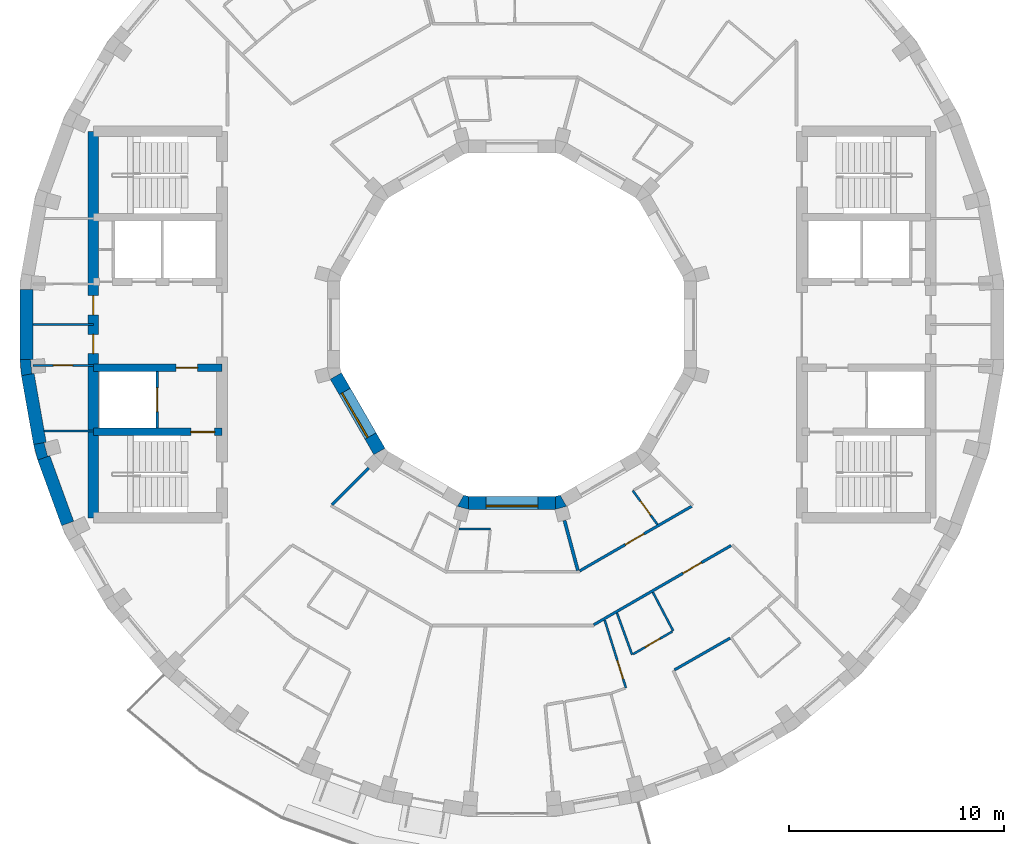
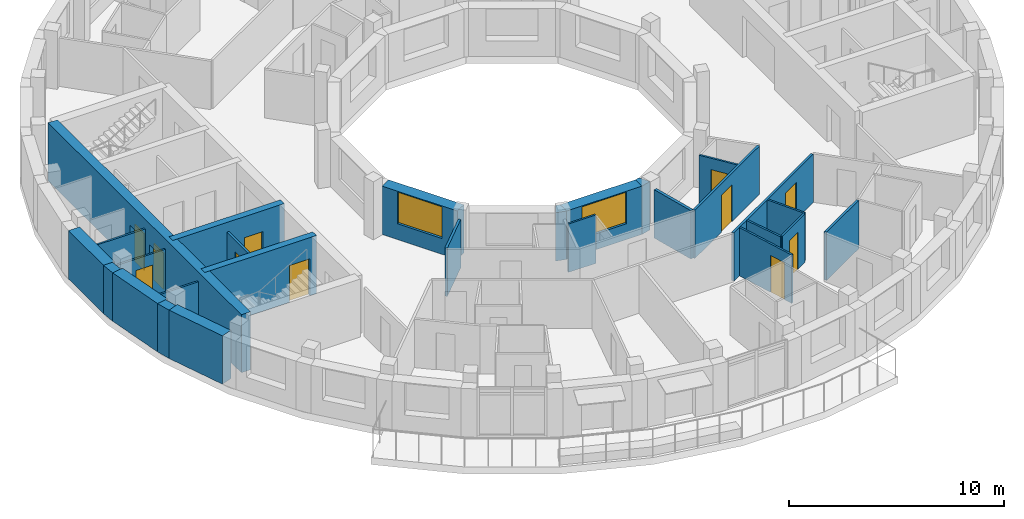
# One storey, part 5 of 12: 27 walls, 11 doors, 2 windows, 13 openings.
"""IFC4 building model written with IfcOpenShell, lengths in metres."""

import ifcopenshell
import ifcopenshell.guid

model = None  # the IFC model being written
_history = None  # IfcOwnerHistory: only IFC2X3 demands one
_inside = {}  # id of a spatial element -> (the spatial element, [elements in it])
_under = {}  # id of a project, library or spatial element -> (it, [spatial elements below it])
_declared = {}  # id of a project -> (the project, [libraries it declares])
_typed = {}  # id of a type object -> (the type object, [elements of that type])
_made_of = {}  # id of a material, layer set ... -> (it, [elements and type objects made of it])


def new_model(schema):
    """Start an empty IFC model of exactly this schema.

    Asked for "IFC4X3", IfcOpenShell would pick the latest addendum, in which some entities
    have other attributes; the version numbers below select the first issue.
    IFC2X3 requires an IfcOwnerHistory on every rooted entity: one is made here for all.
    """
    global model, _history
    if schema == "IFC4X3":
        model = ifcopenshell.file(schema_version=(4, 3, 0, 0))
    else:
        model = ifcopenshell.file(schema=schema)
    _inside.clear()
    _under.clear()
    _declared.clear()
    _typed.clear()
    _made_of.clear()
    _history = None
    if model.schema == "IFC2X3":
        org = make("IfcOrganization", Name="unknown")
        user = make(
            "IfcPersonAndOrganization",
            ThePerson=make("IfcPerson", FamilyName="unknown"),
            TheOrganization=org,
        )
        app = make(
            "IfcApplication",
            ApplicationDeveloper=org,
            Version="unknown",
            ApplicationFullName="unknown",
            ApplicationIdentifier="unknown",
        )
        _history = make(
            "IfcOwnerHistory",
            OwningUser=user,
            OwningApplication=app,
            ChangeAction="ADDED",
            CreationDate=0,
        )
    return model


def make(cls, **values):
    """One entity of the class cls with the attributes given. An attribute that is None is left unset."""
    return model.create_entity(
        cls, **{name: value for name, value in values.items() if value is not None}
    )


def rooted(cls, **values):
    """An entity with a GlobalId (a new one), such as an element, a storey or a relation."""
    return make(cls, GlobalId=ifcopenshell.guid.new(), OwnerHistory=_history, **values)


def si_unit(unit_type, name, prefix=None):
    """IfcSIUnit, for example si_unit("LENGTHUNIT", "METRE", prefix="MILLI")."""
    return make("IfcSIUnit", UnitType=unit_type, Prefix=prefix, Name=name)


def assignment(units):
    """IfcUnitAssignment: the units of a project."""
    return None if units is None else make("IfcUnitAssignment", Units=units)


def point(xyz):
    """IfcCartesianPoint."""
    return None if xyz is None else make("IfcCartesianPoint", Coordinates=xyz)


def direction(xyz):
    """IfcDirection."""
    return None if xyz is None else make("IfcDirection", DirectionRatios=xyz)


def frame(location, z_axis=None, x_axis=None):
    """IfcAxis2Placement3D, a coordinate frame: its origin and axes. An axis left out is left unset."""
    return make(
        "IfcAxis2Placement3D",
        Location=point(location),
        Axis=direction(z_axis),
        RefDirection=direction(x_axis),
    )


def frame_2d(location, x_axis=None):
    """IfcAxis2Placement2D, a coordinate frame in the plane: its origin and x axis."""
    return make(
        "IfcAxis2Placement2D", Location=point(location), RefDirection=direction(x_axis)
    )


def origin():
    """The frame at (0, 0, 0) with its axes left unset."""
    return frame((0.0, 0.0, 0.0))


def place(relative_to, where):
    """IfcLocalPlacement: puts the frame where relative to a parent placement (None: the world)."""
    return make(
        "IfcLocalPlacement", PlacementRelTo=relative_to, RelativePlacement=where
    )


def context(
    kind, dimensions, precision=None, world=None, true_north=None, identifier=None
):
    """IfcGeometricRepresentationContext, for example the 3D "Model" context."""
    return make(
        "IfcGeometricRepresentationContext",
        ContextIdentifier=identifier,
        ContextType=kind,
        CoordinateSpaceDimension=dimensions,
        Precision=precision,
        WorldCoordinateSystem=world,
        TrueNorth=true_north,
    )


def subcontext(parent, identifier, kind, view, scale=None):
    """IfcGeometricRepresentationSubContext, for example "Body" below "Model"."""
    return make(
        "IfcGeometricRepresentationSubContext",
        ContextIdentifier=identifier,
        ContextType=kind,
        ParentContext=parent,
        TargetScale=scale,
        TargetView=view,
    )


def project(units=None, contexts=None):
    """IfcProject with its units and contexts."""
    return rooted(
        "IfcProject",
        Name="project",
        RepresentationContexts=contexts,
        UnitsInContext=assignment(units),
    )


def spatial(cls, under=None, at=None, **own):
    """A site, building, storey or space (cls), placed at a placement, below another one or the project."""
    s = rooted(cls, ObjectPlacement=at, **own)
    if under is not None:
        _under.setdefault(under.id(), (under, []))[1].append(s)
    return s


def polyline(points):
    """IfcPolyline through the points."""
    return make("IfcPolyline", Points=[point(p) for p in points])


def profile(cls, at=None, kind="AREA", **sizes):
    """A parametric profile (cls). Its sizes go by their IFC names, for example OverallWidth=200.0."""
    return make(cls, ProfileType=kind, Position=at, **sizes)


def rectangle(**sizes):
    """IfcRectangleProfileDef."""
    return profile("IfcRectangleProfileDef", **sizes)


def outline(outer, holes=None, kind="AREA"):
    """IfcArbitraryClosedProfileDef: a profile drawn as a closed curve; with holes, ...WithVoids."""
    if holes is None:
        return make("IfcArbitraryClosedProfileDef", ProfileType=kind, OuterCurve=outer)
    return make(
        "IfcArbitraryProfileDefWithVoids",
        ProfileType=kind,
        OuterCurve=outer,
        InnerCurves=holes,
    )


def extrude(swept, where, along, depth):
    """IfcExtrudedAreaSolid: the profile swept, set in the frame where, extruded along a direction by depth."""
    return make(
        "IfcExtrudedAreaSolid",
        SweptArea=swept,
        Position=where,
        ExtrudedDirection=direction(along),
        Depth=depth,
    )


def shape(context_of_items, identifier, shape_type, items):
    """IfcShapeRepresentation: the items that make up one representation, for example the "Body"."""
    return make(
        "IfcShapeRepresentation",
        ContextOfItems=context_of_items,
        RepresentationIdentifier=identifier,
        RepresentationType=shape_type,
        Items=items,
    )


def material(Name=None, Category=None):
    """IfcMaterial."""
    return make("IfcMaterial", Name=Name, Category=Category)


def layer(
    of_material, thickness, ventilated=None, Name=None, Category=None, Priority=None
):
    """IfcMaterialLayer: one layer of a wall or slab, of a material (None: an air gap)."""
    return make(
        "IfcMaterialLayer",
        Material=of_material,
        LayerThickness=thickness,
        IsVentilated=ventilated,
        Name=Name,
        Category=Category,
        Priority=Priority,
    )


def layer_set(layers, Name=None):
    """IfcMaterialLayerSet."""
    return make("IfcMaterialLayerSet", MaterialLayers=layers, LayerSetName=Name)


def made_of(thing, what):
    """Note that an element or type object is made of a material, layer set ...; save() writes the relation."""
    if what is not None:
        _made_of.setdefault(what.id(), (what, []))[1].append(thing)
    return thing


def type_object(cls, material=None, **own):
    """A type object (cls), such as IfcWallType, which elements share."""
    return made_of(rooted(cls, **own), material)


def element(
    cls,
    number,
    at=None,
    inside=None,
    cuts=None,
    type_object=None,
    material=None,
    context=None,
    identifier="Body",
    shape_type=None,
    held_by="IfcProductDefinitionShape",
    body=None,
    shapes=None,
    **own,
):
    """One element of the class cls, such as IfcWall. Its Tag is "e" and its number.

    at: its placement. inside: the storey or other place that contains it. cuts: it is an
    opening in that element (IfcRelVoidsElement). A single representation is given by context,
    identifier, shape_type and body (its items); several are given by shapes. held_by: the class
    of the entity that holds the representations. save() writes the other relations.
    """
    e = rooted(cls, Tag="e%d" % number, ObjectPlacement=at, **own)
    if body is not None:
        shapes = [shape(context, identifier, shape_type, body)]
    if shapes is not None:
        e.Representation = make(held_by, Representations=shapes)
    if inside is not None:
        _inside.setdefault(inside.id(), (inside, []))[1].append(e)
    if cuts is not None:
        rooted(
            "IfcRelVoidsElement", RelatingBuildingElement=cuts, RelatedOpeningElement=e
        )
    if type_object is not None:
        _typed.setdefault(type_object.id(), (type_object, []))[1].append(e)
    return made_of(e, material)


def fill(opening, filler):
    """IfcRelFillsElement: the door or window that sits in an opening."""
    return rooted(
        "IfcRelFillsElement",
        RelatingOpeningElement=opening,
        RelatedBuildingElement=filler,
    )


def aggregate(whole, parts):
    """IfcRelAggregates: a whole, such as a stair, and the parts it consists of."""
    return rooted("IfcRelAggregates", RelatingObject=whole, RelatedObjects=parts)


def save(model, path):
    """Write the relations noted so far, then the file.

    IfcRelAggregates (storeys below a building ...), IfcRelContainedInSpatialStructure (elements
    in a storey), IfcRelDefinesByType, IfcRelAssociatesMaterial and IfcRelDeclares: one each for
    every whole, place, type object, material and project.
    """
    for whole, parts in _under.values():
        aggregate(whole, parts)
    for where, things in _inside.values():
        rooted(
            "IfcRelContainedInSpatialStructure",
            RelatedElements=things,
            RelatingStructure=where,
        )
    for kind, things in _typed.values():
        rooted("IfcRelDefinesByType", RelatedObjects=things, RelatingType=kind)
    for what, things in _made_of.values():
        rooted("IfcRelAssociatesMaterial", RelatedObjects=things, RelatingMaterial=what)
    for by, libraries in _declared.values():
        rooted("IfcRelDeclares", RelatingContext=by, RelatedDefinitions=libraries)
    model.write(path)


model = new_model("IFC4")

# Units and contexts
model_context = context("Model", 3, precision=1e-05, world=origin(), true_north=direction((0.0, 1.0)))
body_context = subcontext(model_context, "Body", "Model", "MODEL_VIEW")
ifc_project = project(units=[si_unit("LENGTHUNIT", "METRE"), si_unit("AREAUNIT", "SQUARE_METRE"), si_unit("VOLUMEUNIT", "CUBIC_METRE"), si_unit("PLANEANGLEUNIT", "RADIAN"), si_unit("MASSUNIT", "GRAM", prefix="KILO")], contexts=[model_context])

# Site, building, storey
site_placement = place(None, origin())
site = spatial("IfcSite", under=ifc_project, at=site_placement, CompositionType="ELEMENT")
building_placement = place(site_placement, origin())
building = spatial("IfcBuilding", under=site, at=building_placement, Name="Saqina Gate Tower", CompositionType="ELEMENT")
storey_placement = place(building_placement, frame((0.0, 0.0, 275.89990234375)))
storey = spatial("IfcBuildingStorey", under=building, at=storey_placement, Name="L79", CompositionType="ELEMENT", Elevation=275.89990234375)

# Walls
ifc_material_1 = material(Name="Brick masonry (buff)", Category="masonry")
wall_type_1 = type_object("IfcWallType", Name="BRICK PIER COPING BUFF", PredefinedType="SOLIDWALL", material=ifc_material_1)
wall_1_placement = place(storey_placement, origin())
element("IfcWall", 1, at=wall_1_placement, inside=storey, type_object=wall_type_1, Name="Pier cap L79 column 19", PredefinedType="SOLIDWALL", context=body_context, shape_type="SweptSolid", body=[
    extrude(outline(polyline([(-22.91259765625, -1.625732421875), (-22.8466796875, -2.377685546875), (-22.255859375, -2.2734375), (-22.361083984375, -2.28271484375), (-22.417724609375, -1.635009765625), (-22.3125, -1.625732421875), (-22.91259765625, -1.625732421875)])), origin(), (0.0, 0.0, 1.0), 2.75),
])
wall_2_placement = place(storey_placement, origin())
element("IfcWall", 2, at=wall_2_placement, inside=storey, type_object=wall_type_1, Name="Pier cap L79 column 20", PredefinedType="SOLIDWALL", context=body_context, shape_type="SweptSolid", body=[
    extrude(outline(polyline([(-22.0869140625, -6.30859375), (-21.52294921875, -6.103515625), (-21.625, -6.130859375), (-21.793212890625, -5.5029296875), (-21.691162109375, -5.4755859375), (-22.281982421875, -5.579833984375), (-22.0869140625, -6.30859375)])), origin(), (0.0, 0.0, 1.0), 2.75),
])
ifc_material_2 = material(Name="Gypsum board on steel studs", Category="steel")
ifc_layer_1 = layer(ifc_material_2, 0.10009765625)
ifc_layer_set_1 = layer_set([ifc_layer_1], Name="CORE PARTITION")
wall_type_2 = type_object("IfcWallType", Name="CORE PARTITION", PredefinedType="PARTITIONING", material=ifc_layer_set_1)
wall_3_placement = place(storey_placement, frame((-19.5, -4.949951171875, 0.0), z_axis=(0.0, 0.0, 1.0), x_axis=(-1.0, 0.0, 0.0)))
element("IfcWall", 3, at=wall_3_placement, inside=storey, type_object=wall_type_2, Name="L79-CP-W04", PredefinedType="PARTITIONING", context=body_context, shape_type="SweptSolid", body=[
    extrude(rectangle(XDim=2.283935546875, YDim=0.10009765625, at=frame_2d((1.14208984375, 0.0))), origin(), (0.0, 0.0, 1.0), 2.75),
])

# Wall, opening, door
wall_4_placement = place(storey_placement, frame((-19.5, -1.89990234375, 0.0), z_axis=(0.0, 0.0, 1.0), x_axis=(-1.0, 0.0, 0.0)))
wall_4 = element("IfcWall", 4, at=wall_4_placement, inside=storey, type_object=wall_type_2, Name="L79-CP-W05", PredefinedType="PARTITIONING", context=body_context, shape_type="SweptSolid", body=[
    extrude(rectangle(XDim=2.8125, YDim=0.10009765625, at=frame_2d((1.40625, 0.0))), origin(), (0.0, 0.0, 1.0), 2.75),
])
opening_1_placement = place(wall_4_placement, frame((0.956298828125, 0.0, 0.0)))
opening_1 = element("IfcOpeningElement", 5, at=opening_1_placement, cuts=wall_4, Name="Opening G23-D105", PredefinedType="OPENING", context=body_context, shape_type="SweptSolid", body=[
    extrude(rectangle(XDim=0.89990234375, YDim=2.10009765625, at=frame_2d((0.449951171875, 1.050048828125))), frame((0.0, 0.06201171875, 0.0), z_axis=(0.0, -1.0, 0.0), x_axis=(1.0, 0.0, 0.0)), (0.0, 0.0, 1.0), 0.1240234375),
])
ifc_material_3 = material(Name="Steel-framed fire door leaf, EI 60", Category="steel")
door_type_1 = type_object("IfcDoorType", Name="SERVICE ROOM DOOR 900", OperationType="SINGLE_SWING_LEFT", PredefinedType="DOOR", material=ifc_material_3)
door_1_placement = place(opening_1_placement, origin())
door_1 = element("IfcDoor", 6, at=door_1_placement, inside=storey, type_object=door_type_1, Name="L79-CD-W16", OperationType="SINGLE_SWING_RIGHT", OverallHeight=2.10009765625, OverallWidth=0.89990234375, PredefinedType="DOOR", context=body_context, shape_type="SweptSolid", body=[
    extrude(rectangle(XDim=0.89990234375, YDim=2.10009765625, at=frame_2d((0.449951171875, 1.050048828125))), frame((0.0, 0.02490234375, 0.0), z_axis=(0.0, -1.0, 0.0), x_axis=(1.0, 0.0, 0.0)), (0.0, 0.0, 1.0), 0.050048828125),
])
fill(opening_1, door_1)

# Walls
wall_5_placement = place(storey_placement, frame((-19.5, 0.0, 0.0), z_axis=(0.0, 0.0, 1.0), x_axis=(-1.0, 0.0, 0.0)))
element("IfcWall", 7, at=wall_5_placement, inside=storey, type_object=wall_type_2, Name="L79-CP-W06", PredefinedType="PARTITIONING", context=body_context, shape_type="SweptSolid", body=[
    extrude(rectangle(XDim=2.8125, YDim=0.10009765625, at=frame_2d((1.40625, 0.0))), origin(), (0.0, 0.0, 1.0), 2.75),
])
ifc_material_4 = material(Name="Glazed ceramic tile", Category="ceramic")
ifc_layer_2 = layer(ifc_material_4, 0.60009765625)
ifc_layer_set_2 = layer_set([ifc_layer_2], Name="FW-TILE")
wall_type_3 = type_object("IfcWallType", Name="FW-TILE", PredefinedType="SOLIDWALL", material=ifc_layer_set_2)
wall_6_placement = place(storey_placement, frame((-22.612548828125, 1.625732421875, 0.0), z_axis=(0.0, 0.0, 1.0), x_axis=(0.0, -1.0, 0.0)))
element("IfcWall", 8, at=wall_6_placement, inside=storey, type_object=wall_type_3, Name="Facade wall L79 facet 18", PredefinedType="SOLIDWALL", context=body_context, shape_type="SweptSolid", body=[
    extrude(rectangle(XDim=3.25146484375, YDim=0.60009765625, at=frame_2d((1.625732421875, 0.0))), origin(), (0.0, 0.0, 1.0), 2.75),
])
wall_7_placement = place(storey_placement, frame((-21.804931640625, -6.2060546875, 0.0), z_axis=(0.0, 0.0, 1.0), x_axis=(0.342056509473, -0.939679383794, 0.0)))
element("IfcWall", 9, at=wall_7_placement, inside=storey, type_object=wall_type_3, Name="Facade wall L79 facet 20", PredefinedType="SOLIDWALL", context=body_context, shape_type="SweptSolid", body=[
    extrude(rectangle(XDim=3.251708984375, YDim=0.60009765625, at=frame_2d((1.6259765625, 0.0))), origin(), (0.0, 0.0, 1.0), 2.75),
])
ifc_material_5 = material(Name="Glazed ceramic tile (dark blue)", Category="ceramic")
ifc_layer_3 = layer(ifc_material_5, 0.60009765625)
ifc_layer_set_3 = layer_set([ifc_layer_3], Name="FW-TILE-CB")
wall_type_4 = type_object("IfcWallType", Name="FW-TILE-CB", PredefinedType="SOLIDWALL", material=ifc_layer_set_3)
wall_8_placement = place(storey_placement, frame((-22.55126953125, -2.325439453125, 0.0), z_axis=(0.0, 0.0, 1.0), x_axis=(0.173656842178, -0.984806225186, 0.0)))
element("IfcWall", 10, at=wall_8_placement, inside=storey, type_object=wall_type_4, Name="Facade wall L79 facet 19", PredefinedType="SOLIDWALL", context=body_context, shape_type="SweptSolid", body=[
    extrude(rectangle(XDim=3.251708984375, YDim=0.60009765625, at=frame_2d((1.6259765625, 0.0))), origin(), (0.0, 0.0, 1.0), 2.75),
])

# Wall, opening, window
ifc_material_6 = material(Name="Glazed ceramic tile", Category="ceramic")
ifc_layer_4 = layer(ifc_material_6, 0.60009765625)
ifc_layer_set_4 = layer_set([ifc_layer_4], Name="IW-TILE")
wall_type_5 = type_object("IfcWallType", Name="IW-TILE", PredefinedType="SOLIDWALL", material=ifc_layer_set_4)
wall_9_placement = place(storey_placement, frame((-8.20263671875, -2.392578125, 0.0), z_axis=(0.0, 0.0, 1.0), x_axis=(0.499994954979, -0.866028316509, 0.0)))
wall_9 = element("IfcWall", 11, at=wall_9_placement, inside=storey, type_object=wall_type_5, Name="Well wall L79 facet 7", PredefinedType="SOLIDWALL", context=body_context, shape_type="SweptSolid", body=[
    extrude(rectangle(XDim=4.05859375, YDim=0.60009765625, at=frame_2d((2.029296875, 0.0))), origin(), (0.0, 0.0, 1.0), 2.75),
])
opening_2_placement = place(wall_9_placement, frame((0.829345703125, 0.0, 0.89990234375)))
opening_2 = element("IfcOpeningElement", 12, at=opening_2_placement, cuts=wall_9, Name="Opening G23-W29", PredefinedType="OPENING", context=body_context, shape_type="SweptSolid", body=[
    extrude(rectangle(XDim=2.39990234375, YDim=1.800048828125, at=frame_2d((1.199951171875, 0.89990234375))), frame((0.0, 0.31201171875, 0.0), z_axis=(0.0, -1.0, 0.0), x_axis=(1.0, 0.0, 0.0)), (0.0, 0.0, 1.0), 0.6240234375),
])
ifc_material_7 = material(Name="Aluminium glazing", Category="aluminium")
window_type = type_object("IfcWindowType", Name="WN-W", PartitioningType="SINGLE_PANEL", PredefinedType="WINDOW", material=ifc_material_7)
window_1_placement = place(opening_2_placement, origin())
window_1 = element("IfcWindow", 13, at=window_1_placement, inside=storey, type_object=window_type, Name="Well window L79 facet 7", OverallHeight=1.800048828125, OverallWidth=2.39990234375, PartitioningType="SINGLE_PANEL", PredefinedType="WINDOW", context=body_context, shape_type="SweptSolid", body=[
    extrude(rectangle(XDim=2.39990234375, YDim=1.800048828125, at=frame_2d((1.199951171875, 0.89990234375))), frame((0.0, -0.119873046875, 0.0), z_axis=(0.0, -1.0, 0.0), x_axis=(1.0, 0.0, 0.0)), (0.0, 0.0, 1.0), 0.06005859375),
])
fill(opening_2, window_1)

wall_10_placement = place(storey_placement, frame((-2.029296875, -8.300048828125, 0.0), z_axis=(0.0, 0.0, 1.0), x_axis=(1.0, 0.0, 0.0)))
wall_10 = element("IfcWall", 14, at=wall_10_placement, inside=storey, type_object=wall_type_5, Name="Well wall L79 facet 9", PredefinedType="SOLIDWALL", context=body_context, shape_type="SweptSolid", body=[
    extrude(rectangle(XDim=4.05859375, YDim=0.60009765625, at=frame_2d((2.029296875, 0.0))), origin(), (0.0, 0.0, 1.0), 2.75),
])
opening_3_placement = place(wall_10_placement, frame((0.829345703125, 0.0, 0.89990234375)))
opening_3 = element("IfcOpeningElement", 15, at=opening_3_placement, cuts=wall_10, Name="Opening G23-W31", PredefinedType="OPENING", context=body_context, shape_type="SweptSolid", body=[
    extrude(rectangle(XDim=2.39990234375, YDim=1.800048828125, at=frame_2d((1.199951171875, 0.89990234375))), frame((0.0, 0.31201171875, 0.0), z_axis=(0.0, -1.0, 0.0), x_axis=(1.0, 0.0, 0.0)), (0.0, 0.0, 1.0), 0.6240234375),
])
window_2_placement = place(opening_3_placement, origin())
window_2 = element("IfcWindow", 16, at=window_2_placement, inside=storey, type_object=window_type, Name="Well window L79 facet 9", OverallHeight=1.800048828125, OverallWidth=2.39990234375, PartitioningType="SINGLE_PANEL", PredefinedType="WINDOW", context=body_context, shape_type="SweptSolid", body=[
    extrude(rectangle(XDim=2.39990234375, YDim=1.800048828125, at=frame_2d((1.199951171875, 0.89990234375))), frame((0.0, -0.119873046875, 0.0), z_axis=(0.0, -1.0, 0.0), x_axis=(1.0, 0.0, 0.0)), (0.0, 0.0, 1.0), 0.06005859375),
])
fill(opening_3, window_2)

# Wall, opening, door
ifc_material_8 = material(Name="Gypsum board on steel studs, 100 mm", Category="steel")
ifc_layer_5 = layer(ifc_material_8, 0.10009765625)
ifc_layer_set_5 = layer_set([ifc_layer_5], Name="PARTITION 100")
wall_type_6 = type_object("IfcWallType", Name="PARTITION 100", PredefinedType="PARTITIONING", material=ifc_layer_set_5)
wall_11_placement = place(storey_placement, frame((4.314697265625, -13.757568359375, 0.0), z_axis=(0.0, 0.0, 1.0), x_axis=(0.299479577404, -0.95410271078, 0.0)))
wall_11 = element("IfcWall", 17, at=wall_11_placement, inside=storey, type_object=wall_type_6, Name="PARTITION PW3-08", PredefinedType="PARTITIONING", context=body_context, shape_type="SweptSolid", body=[
    extrude(rectangle(XDim=3.3115234375, YDim=0.10009765625, at=frame_2d((1.65576171875, 0.0))), origin(), (0.0, 0.0, 1.0), 2.75),
])
opening_4_placement = place(wall_11_placement, frame((1.973876953125, 0.0, 0.0)))
opening_4 = element("IfcOpeningElement", 18, at=opening_4_placement, cuts=wall_11, Name="Opening G23-D33", PredefinedType="OPENING", context=body_context, shape_type="SweptSolid", body=[
    extrude(rectangle(XDim=0.89990234375, YDim=2.10009765625, at=frame_2d((0.449951171875, 1.050048828125))), frame((0.0, 0.06201171875, 0.0), z_axis=(0.0, -1.0, 0.0), x_axis=(1.0, 0.0, 0.0)), (0.0, 0.0, 1.0), 0.1240234375),
])
ifc_material_9 = material(Name="Timber door leaf, 900 mm", Category="wood")
door_type_2 = type_object("IfcDoorType", Name="DOOR 900 TIMBER", OperationType="SINGLE_SWING_LEFT", PredefinedType="DOOR", material=ifc_material_9)
door_2_placement = place(opening_4_placement, origin())
door_2 = element("IfcDoor", 19, at=door_2_placement, inside=storey, type_object=door_type_2, Name="DOOR G23-D33", OperationType="SINGLE_SWING_LEFT", OverallHeight=2.10009765625, OverallWidth=0.89990234375, PredefinedType="DOOR", context=body_context, shape_type="SweptSolid", body=[
    extrude(rectangle(XDim=0.89990234375, YDim=2.10009765625, at=frame_2d((0.449951171875, 1.050048828125))), frame((0.0, 0.02490234375, 0.0), z_axis=(0.0, -1.0, 0.0), x_axis=(1.0, 0.0, 0.0)), (0.0, 0.0, 1.0), 0.050048828125),
])
fill(opening_4, door_2)

# Walls
wall_12_placement = place(storey_placement, frame((4.887451171875, -13.4267578125, 0.0), z_axis=(0.0, 0.0, 1.0), x_axis=(0.34179045994, -0.939776186916, 0.0)))
element("IfcWall", 20, at=wall_12_placement, inside=storey, type_object=wall_type_6, Name="PARTITION PW3-09", PredefinedType="PARTITIONING", context=body_context, shape_type="SweptSolid", body=[
    extrude(rectangle(XDim=2.06787109375, YDim=0.10009765625, at=frame_2d((1.033935546875, 0.0))), origin(), (0.0, 0.0, 1.0), 2.75),
])
wall_13_placement = place(storey_placement, frame((6.559326171875, -12.46240234375, 0.0), z_axis=(0.0, 0.0, 1.0), x_axis=(0.465716796336, -0.884933819904, 0.0)))
element("IfcWall", 21, at=wall_13_placement, inside=storey, type_object=wall_type_6, Name="PARTITION PW3-11", PredefinedType="PARTITIONING", context=body_context, shape_type="SweptSolid", body=[
    extrude(rectangle(XDim=2.037109375, YDim=0.10009765625, at=frame_2d((1.0185546875, 0.0))), origin(), (0.0, 0.0, 1.0), 2.75),
])

# Wall, opening, door
wall_14_placement = place(storey_placement, frame((5.6259765625, -7.73291015625, 0.0), z_axis=(0.0, 0.0, 1.0), x_axis=(0.588655753786, -0.808383821915, 0.0)))
wall_14 = element("IfcWall", 22, at=wall_14_placement, inside=storey, type_object=wall_type_6, Name="PARTITION PW3-14", PredefinedType="PARTITIONING", context=body_context, shape_type="SweptSolid", body=[
    extrude(rectangle(XDim=1.948974609375, YDim=0.10009765625, at=frame_2d((0.974609375, 0.0))), origin(), (0.0, 0.0, 1.0), 2.75),
])
opening_5_placement = place(wall_14_placement, frame((0.605712890625, 0.0, 0.0)))
opening_5 = element("IfcOpeningElement", 23, at=opening_5_placement, cuts=wall_14, Name="Opening G23-D37", PredefinedType="OPENING", context=body_context, shape_type="SweptSolid", body=[
    extrude(rectangle(XDim=0.800048828125, YDim=2.10009765625, at=frame_2d((0.39990234375, 1.050048828125))), frame((0.0, 0.06201171875, 0.0), z_axis=(0.0, -1.0, 0.0), x_axis=(1.0, 0.0, 0.0)), (0.0, 0.0, 1.0), 0.1240234375),
])
ifc_material_10 = material(Name="Timber door leaf, 800 mm", Category="wood")
door_type_3 = type_object("IfcDoorType", Name="DOOR 800 TIMBER", OperationType="SINGLE_SWING_LEFT", PredefinedType="DOOR", material=ifc_material_10)
door_3_placement = place(opening_5_placement, frame((0.800048828125, 0.0, 0.0), z_axis=(0.0, 0.0, 1.0), x_axis=(-1.0, 0.0, 0.0)))
door_3 = element("IfcDoor", 24, at=door_3_placement, inside=storey, type_object=door_type_3, Name="DOOR G23-D37", OperationType="SINGLE_SWING_LEFT", OverallHeight=2.10009765625, OverallWidth=0.800048828125, PredefinedType="DOOR", context=body_context, shape_type="SweptSolid", body=[
    extrude(rectangle(XDim=0.800048828125, YDim=2.10009765625, at=frame_2d((0.39990234375, 1.050048828125))), frame((0.0, 0.02490234375, 0.0), z_axis=(0.0, -1.0, 0.0), x_axis=(1.0, 0.0, 0.0)), (0.0, 0.0, 1.0), 0.050048828125),
])
fill(opening_5, door_3)

# Wall
wall_15_placement = place(storey_placement, frame((-2.472900390625, -9.510009765625, 0.0), z_axis=(0.0, 0.0, 1.0), x_axis=(1.0, 0.0, 0.0)))
element("IfcWall", 25, at=wall_15_placement, inside=storey, type_object=wall_type_6, Name="PARTITION PW3-25", PredefinedType="PARTITIONING", context=body_context, shape_type="SweptSolid", body=[
    extrude(rectangle(XDim=1.466796875, YDim=0.10009765625, at=frame_2d((0.7333984375, 0.0))), origin(), (0.0, 0.0, 1.0), 2.75),
])

# Wall, opening, door
wall_16_placement = place(storey_placement, frame((5.64013671875, -15.345947265625, 0.0), z_axis=(0.0, 0.0, 1.0), x_axis=(0.866046731735, 0.499963057087, 0.0)))
wall_16 = element("IfcWall", 26, at=wall_16_placement, inside=storey, type_object=wall_type_6, Name="PARTITION PW3-34", PredefinedType="PARTITIONING", context=body_context, shape_type="SweptSolid", body=[
    extrude(rectangle(XDim=2.108154296875, YDim=0.10009765625, at=frame_2d((1.05419921875, 0.0))), origin(), (0.0, 0.0, 1.0), 2.75),
])
opening_6_placement = place(wall_16_placement, frame((0.653076171875, 0.0, 0.0)))
opening_6 = element("IfcOpeningElement", 27, at=opening_6_placement, cuts=wall_16, Name="Opening G23-D34", PredefinedType="OPENING", context=body_context, shape_type="SweptSolid", body=[
    extrude(rectangle(XDim=0.800048828125, YDim=2.10009765625, at=frame_2d((0.39990234375, 1.050048828125))), frame((0.0, 0.06201171875, 0.0), z_axis=(0.0, -1.0, 0.0), x_axis=(1.0, 0.0, 0.0)), (0.0, 0.0, 1.0), 0.1240234375),
])
door_4_placement = place(opening_6_placement, frame((0.800048828125, 0.0, 0.0), z_axis=(0.0, 0.0, 1.0), x_axis=(-1.0, 0.0, 0.0)))
door_4 = element("IfcDoor", 28, at=door_4_placement, inside=storey, type_object=door_type_3, Name="DOOR G23-D34", OperationType="SINGLE_SWING_RIGHT", OverallHeight=2.10009765625, OverallWidth=0.800048828125, PredefinedType="DOOR", context=body_context, shape_type="SweptSolid", body=[
    extrude(rectangle(XDim=0.800048828125, YDim=2.10009765625, at=frame_2d((0.39990234375, 1.050048828125))), frame((0.0, 0.02490234375, 0.0), z_axis=(0.0, -1.0, 0.0), x_axis=(1.0, 0.0, 0.0)), (0.0, 0.0, 1.0), 0.050048828125),
])
fill(opening_6, door_4)

# Wall
ifc_material_11 = material(Name="Gypsum board on steel studs, 125 mm, fire rated", Category="steel")
ifc_layer_6 = layer(ifc_material_11, 0.125)
ifc_layer_set_6 = layer_set([ifc_layer_6], Name="PARTITION EI 30 125")
wall_type_7 = type_object("IfcWallType", Name="PARTITION EI 30 125", PredefinedType="PARTITIONING", material=ifc_layer_set_6)
wall_17_placement = place(storey_placement, frame((7.568603515625, -16.07861328125, 0.0), z_axis=(0.0, 0.0, 1.0), x_axis=(0.868243142124, 0.496138938357, 0.0)))
element("IfcWall", 29, at=wall_17_placement, inside=storey, type_object=wall_type_7, Name="PARTITION PW1-24", PredefinedType="PARTITIONING", context=body_context, shape_type="SweptSolid", body=[
    extrude(rectangle(XDim=2.98388671875, YDim=0.125, at=frame_2d((1.491943359375, 0.0))), origin(), (0.0, 0.0, 1.0), 2.75),
])

# Wall, opening, door
wall_18_placement = place(storey_placement, frame((3.80810546875, -13.978759765625, 0.0), z_axis=(0.0, 0.0, 1.0), x_axis=(0.866028642731, 0.499994389938, 0.0)))
wall_18 = element("IfcWall", 30, at=wall_18_placement, inside=storey, type_object=wall_type_7, Name="PARTITION PW1-26", PredefinedType="PARTITIONING", context=body_context, shape_type="SweptSolid", body=[
    extrude(rectangle(XDim=7.3828125, YDim=0.125, at=frame_2d((3.69140625, 0.0))), origin(), (0.0, 0.0, 1.0), 2.75),
])
opening_7_placement = place(wall_18_placement, frame((4.794921875, 0.0, 0.0)))
opening_7 = element("IfcOpeningElement", 31, at=opening_7_placement, cuts=wall_18, Name="Opening G23-D38", PredefinedType="OPENING", context=body_context, shape_type="SweptSolid", body=[
    extrude(rectangle(XDim=1.0, YDim=2.10009765625, at=frame_2d((0.5, 1.050048828125))), frame((0.0, 0.074462890625, 0.0), z_axis=(0.0, -1.0, 0.0), x_axis=(1.0, 0.0, 0.0)), (0.0, 0.0, 1.0), 0.14892578125),
])
ifc_material_12 = material(Name="Fire door leaf EI 30, 1000 mm")
door_type_4 = type_object("IfcDoorType", Name="DOOR 1000 EI 30", OperationType="SINGLE_SWING_LEFT", PredefinedType="DOOR", material=ifc_material_12)
door_5_placement = place(opening_7_placement, frame((1.0, 0.0, 0.0), z_axis=(0.0, 0.0, 1.0), x_axis=(-1.0, 0.0, 0.0)))
door_5 = element("IfcDoor", 32, at=door_5_placement, inside=storey, type_object=door_type_4, Name="DOOR G23-D38", OperationType="SINGLE_SWING_LEFT", OverallHeight=2.10009765625, OverallWidth=1.0, PredefinedType="DOOR", context=body_context, shape_type="SweptSolid", body=[
    extrude(rectangle(XDim=1.0, YDim=2.10009765625, at=frame_2d((0.5, 1.050048828125))), frame((0.0, 0.02490234375, 0.0), z_axis=(0.0, -1.0, 0.0), x_axis=(1.0, 0.0, 0.0)), (0.0, 0.0, 1.0), 0.050048828125),
])
fill(opening_7, door_5)

wall_19_placement = place(storey_placement, frame((3.14892578125, -11.472412109375, 0.0), z_axis=(0.0, 0.0, 1.0), x_axis=(0.866047390407, 0.499961916119, 0.0)))
wall_19 = element("IfcWall", 33, at=wall_19_placement, inside=storey, type_object=wall_type_7, Name="PARTITION PW1-27", PredefinedType="PARTITIONING", context=body_context, shape_type="SweptSolid", body=[
    extrude(rectangle(XDim=6.03076171875, YDim=0.125, at=frame_2d((3.015380859375, 0.0))), origin(), (0.0, 0.0, 1.0), 2.75),
])
opening_8_placement = place(wall_19_placement, frame((2.458984375, 0.0, 0.0)))
opening_8 = element("IfcOpeningElement", 34, at=opening_8_placement, cuts=wall_19, Name="Opening G23-D36", PredefinedType="OPENING", context=body_context, shape_type="SweptSolid", body=[
    extrude(rectangle(XDim=1.0, YDim=2.10009765625, at=frame_2d((0.5, 1.050048828125))), frame((0.0, 0.074462890625, 0.0), z_axis=(0.0, -1.0, 0.0), x_axis=(1.0, 0.0, 0.0)), (0.0, 0.0, 1.0), 0.14892578125),
])
door_6_placement = place(opening_8_placement, origin())
door_6 = element("IfcDoor", 35, at=door_6_placement, inside=storey, type_object=door_type_4, Name="DOOR G23-D36", OperationType="SINGLE_SWING_LEFT", OverallHeight=2.10009765625, OverallWidth=1.0, PredefinedType="DOOR", context=body_context, shape_type="SweptSolid", body=[
    extrude(rectangle(XDim=1.0, YDim=2.10009765625, at=frame_2d((0.5, 1.050048828125))), frame((0.0, 0.02490234375, 0.0), z_axis=(0.0, -1.0, 0.0), x_axis=(1.0, 0.0, 0.0)), (0.0, 0.0, 1.0), 0.050048828125),
])
fill(opening_8, door_6)

# Walls
wall_20_placement = place(storey_placement, frame((-8.3818359375, -8.3818359375, 0.0), z_axis=(0.0, 0.0, 1.0), x_axis=(0.707106781187, 0.707106781187, 0.0)))
element("IfcWall", 36, at=wall_20_placement, inside=storey, type_object=wall_type_7, Name="PARTITION PW1-33", PredefinedType="PARTITIONING", context=body_context, shape_type="SweptSolid", body=[
    extrude(rectangle(XDim=2.411376953125, YDim=0.125, at=frame_2d((1.20556640625, 0.0))), origin(), (0.0, 0.0, 1.0), 2.75),
])
ifc_material_13 = material(Name="Gypsum board on steel studs, 150 mm, fire rated", Category="steel")
ifc_layer_7 = layer(ifc_material_13, 0.14990234375)
ifc_layer_set_7 = layer_set([ifc_layer_7], Name="PARTITION EI 60 150")
wall_type_8 = type_object("IfcWallType", Name="PARTITION EI 60 150", PredefinedType="PARTITIONING", material=ifc_layer_set_7)
wall_21_placement = place(storey_placement, frame((2.444091796875, -9.120361328125, 0.0), z_axis=(0.0, 0.0, 1.0), x_axis=(0.258891282715, -0.965906467384, 0.0)))
element("IfcWall", 37, at=wall_21_placement, inside=storey, type_object=wall_type_8, Name="PARTITION PW2-02", PredefinedType="PARTITIONING", context=body_context, shape_type="SweptSolid", body=[
    extrude(rectangle(XDim=2.411376953125, YDim=0.14990234375, at=frame_2d((1.20556640625, 0.0))), origin(), (0.0, 0.0, 1.0), 2.75),
])

# Wall, opening, door
ifc_material_14 = material(Name="Autoclaved aerated concrete block", Category="concrete")
ifc_layer_8 = layer(ifc_material_14, 0.1201171875)
ifc_layer_set_8 = layer_set([ifc_layer_8], Name="SHAFT PARTITION")
wall_type_9 = type_object("IfcWallType", Name="SHAFT PARTITION", PredefinedType="PARTITIONING", material=ifc_layer_set_8)
wall_22_placement = place(storey_placement, frame((-16.530029296875, -4.824951171875, 0.0), z_axis=(0.0, 0.0, 1.0), x_axis=(0.0, 1.0, 0.0)))
wall_22 = element("IfcWall", 38, at=wall_22_placement, inside=storey, type_object=wall_type_9, Name="L79-CP-W09", PredefinedType="PARTITIONING", context=body_context, shape_type="SweptSolid", body=[
    extrude(rectangle(XDim=2.64990234375, YDim=0.1201171875, at=frame_2d((1.324951171875, 0.0))), origin(), (0.0, 0.0, 1.0), 2.75),
])
opening_9_placement = place(wall_22_placement, frame((0.77490234375, 0.0, 0.0)))
opening_9 = element("IfcOpeningElement", 39, at=opening_9_placement, cuts=wall_22, Name="Opening G23-LD6", PredefinedType="OPENING", context=body_context, shape_type="SweptSolid", body=[
    extrude(rectangle(XDim=1.10009765625, YDim=2.10009765625, at=frame_2d((0.550048828125, 1.050048828125))), frame((0.0, 0.072021484375, 0.0), z_axis=(0.0, -1.0, 0.0), x_axis=(1.0, 0.0, 0.0)), (0.0, 0.0, 1.0), 0.14404296875),
])
ifc_material_15 = material(Name="Stainless steel", Category="steel")
door_type_5 = type_object("IfcDoorType", Name="LANDING DOOR", OperationType="DOUBLE_DOOR_SLIDING", PredefinedType="DOOR", material=ifc_material_15)
door_7_placement = place(opening_9_placement, origin())
door_7 = element("IfcDoor", 40, at=door_7_placement, inside=storey, type_object=door_type_5, Name="LANDING DOOR FF2", OperationType="DOUBLE_DOOR_SLIDING", OverallHeight=2.10009765625, OverallWidth=1.10009765625, PredefinedType="DOOR", context=body_context, shape_type="SweptSolid", body=[
    extrude(rectangle(XDim=1.10009765625, YDim=2.10009765625, at=frame_2d((0.550048828125, 1.050048828125))), frame((0.0, 0.02490234375, 0.0), z_axis=(0.0, -1.0, 0.0), x_axis=(1.0, 0.0, 0.0)), (0.0, 0.0, 1.0), 0.050048828125),
])
fill(opening_9, door_7)

ifc_material_16 = material(Name="Concrete C60/75", Category="concrete")
ifc_layer_9 = layer(ifc_material_16, 0.35009765625)
ifc_layer_set_9 = layer_set([ifc_layer_9], Name="Concrete C60/75")
wall_type_10 = type_object("IfcWallType", Name="STR-CORE WALL-D-I", PredefinedType="SHEAR", material=ifc_layer_set_9)
wall_23_placement = place(storey_placement, frame((-13.5, -5.0, 0.0), z_axis=(0.0, 0.0, 1.0), x_axis=(-1.0, 0.0, 0.0)))
wall_23 = element("IfcWall", 41, at=wall_23_placement, inside=storey, type_object=wall_type_10, Name="CORE WALL L79 W-X2", PredefinedType="SHEAR", context=body_context, shape_type="SweptSolid", body=[
    extrude(rectangle(XDim=6.0, YDim=0.35009765625, at=frame_2d((3.0, 0.0))), origin(), (0.0, 0.0, 1.0), 3.300048828125),
])
opening_10_placement = place(wall_23_placement, frame((0.35009765625, 0.0, 0.0)))
opening_10 = element("IfcOpeningElement", 42, at=opening_10_placement, cuts=wall_23, Name="Opening G23-D108", PredefinedType="OPENING", context=body_context, shape_type="SweptSolid", body=[
    extrude(rectangle(XDim=1.10009765625, YDim=2.10009765625, at=frame_2d((0.550048828125, 1.050048828125))), frame((0.0, 0.18701171875, 0.0), z_axis=(0.0, -1.0, 0.0), x_axis=(1.0, 0.0, 0.0)), (0.0, 0.0, 1.0), 0.3740234375),
])
ifc_material_17 = material(Name="Steel", Category="steel")
door_type_6 = type_object("IfcDoorType", Name="FIRE LOBBY DOOR EI 60 WIDE", OperationType="SINGLE_SWING_LEFT", PredefinedType="DOOR", material=ifc_material_17)
door_8_placement = place(opening_10_placement, origin())
door_8 = element("IfcDoor", 43, at=door_8_placement, inside=storey, type_object=door_type_6, Name="L79-CD-W19", OperationType="SINGLE_SWING_LEFT", OverallHeight=2.10009765625, OverallWidth=1.10009765625, PredefinedType="DOOR", context=body_context, shape_type="SweptSolid", body=[
    extrude(rectangle(XDim=1.10009765625, YDim=2.10009765625, at=frame_2d((0.550048828125, 1.050048828125))), frame((0.0, 0.02490234375, 0.0), z_axis=(0.0, -1.0, 0.0), x_axis=(1.0, 0.0, 0.0)), (0.0, 0.0, 1.0), 0.050048828125),
])
fill(opening_10, door_8)

wall_24_placement = place(storey_placement, frame((-13.5, -2.0, 0.0), z_axis=(0.0, 0.0, 1.0), x_axis=(-1.0, 0.0, 0.0)))
wall_24 = element("IfcWall", 44, at=wall_24_placement, inside=storey, type_object=wall_type_10, Name="CORE WALL L79 W-L2", PredefinedType="SHEAR", context=body_context, shape_type="SweptSolid", body=[
    extrude(rectangle(XDim=6.0, YDim=0.35009765625, at=frame_2d((3.0, 0.0))), origin(), (0.0, 0.0, 1.0), 3.300048828125),
])
opening_11_placement = place(wall_24_placement, frame((1.139892578125, 0.0, 0.0)))
opening_11 = element("IfcOpeningElement", 45, at=opening_11_placement, cuts=wall_24, Name="Opening G23-D102", PredefinedType="OPENING", context=body_context, shape_type="SweptSolid", body=[
    extrude(rectangle(XDim=1.0, YDim=2.10009765625, at=frame_2d((0.5, 1.050048828125))), frame((0.0, 0.18701171875, 0.0), z_axis=(0.0, -1.0, 0.0), x_axis=(1.0, 0.0, 0.0)), (0.0, 0.0, 1.0), 0.3740234375),
])
ifc_material_18 = material(Name="Steel", Category="steel")
door_type_7 = type_object("IfcDoorType", Name="FIRE LOBBY DOOR EI 60", OperationType="SINGLE_SWING_LEFT", PredefinedType="DOOR", material=ifc_material_18)
door_9_placement = place(opening_11_placement, frame((1.0, 0.0, 0.0), z_axis=(0.0, 0.0, 1.0), x_axis=(-1.0, 0.0, 0.0)))
door_9 = element("IfcDoor", 46, at=door_9_placement, inside=storey, type_object=door_type_7, Name="L79-CD-W13", OperationType="SINGLE_SWING_RIGHT", OverallHeight=2.10009765625, OverallWidth=1.0, PredefinedType="DOOR", context=body_context, shape_type="SweptSolid", body=[
    extrude(rectangle(XDim=1.0, YDim=2.10009765625, at=frame_2d((0.5, 1.050048828125))), frame((0.0, 0.02490234375, 0.0), z_axis=(0.0, -1.0, 0.0), x_axis=(1.0, 0.0, 0.0)), (0.0, 0.0, 1.0), 0.050048828125),
])
fill(opening_11, door_9)

# Wall, openings, doors
ifc_material_19 = material(Name="Concrete C60/75", Category="concrete")
ifc_layer_10 = layer(ifc_material_19, 0.5)
ifc_layer_set_10 = layer_set([ifc_layer_10], Name="Concrete C60/75")
wall_type_11 = type_object("IfcWallType", Name="STR-CORE WALL-D-O", PredefinedType="SHEAR", material=ifc_layer_set_10)
wall_25_placement = place(storey_placement, frame((-19.5, -9.0, 0.0), z_axis=(0.0, 0.0, 1.0), x_axis=(0.0, 1.0, 0.0)))
wall_25 = element("IfcWall", 47, at=wall_25_placement, inside=storey, type_object=wall_type_11, Name="CORE WALL L79 W-W2", PredefinedType="SHEAR", context=body_context, shape_type="SweptSolid", body=[
    extrude(rectangle(XDim=18.0, YDim=0.5, at=frame_2d((9.0, 0.0))), origin(), (0.0, 0.0, 1.0), 3.300048828125),
])
opening_12_placement = place(wall_25_placement, frame((9.449951171875, 0.0, 0.0)))
opening_12 = element("IfcOpeningElement", 48, at=opening_12_placement, cuts=wall_25, Name="Opening G23-D104", PredefinedType="OPENING", context=body_context, shape_type="SweptSolid", body=[
    extrude(rectangle(XDim=0.89990234375, YDim=2.10009765625, at=frame_2d((0.449951171875, 1.050048828125))), frame((0.0, 0.261962890625, 0.0), z_axis=(0.0, -1.0, 0.0), x_axis=(1.0, 0.0, 0.0)), (0.0, 0.0, 1.0), 0.52392578125),
])
opening_13_placement = place(wall_25_placement, frame((7.64990234375, 0.0, 0.0)))
opening_13 = element("IfcOpeningElement", 49, at=opening_13_placement, cuts=wall_25, Name="Opening G23-D106", PredefinedType="OPENING", context=body_context, shape_type="SweptSolid", body=[
    extrude(rectangle(XDim=0.89990234375, YDim=2.10009765625, at=frame_2d((0.449951171875, 1.050048828125))), frame((0.0, 0.261962890625, 0.0), z_axis=(0.0, -1.0, 0.0), x_axis=(1.0, 0.0, 0.0)), (0.0, 0.0, 1.0), 0.52392578125),
])
door_10_placement = place(opening_12_placement, origin())
door_10 = element("IfcDoor", 50, at=door_10_placement, inside=storey, type_object=door_type_1, Name="L79-CD-W15", OperationType="SINGLE_SWING_RIGHT", OverallHeight=2.10009765625, OverallWidth=0.89990234375, PredefinedType="DOOR", context=body_context, shape_type="SweptSolid", body=[
    extrude(rectangle(XDim=0.89990234375, YDim=2.10009765625, at=frame_2d((0.449951171875, 1.050048828125))), frame((0.0, 0.02490234375, 0.0), z_axis=(0.0, -1.0, 0.0), x_axis=(1.0, 0.0, 0.0)), (0.0, 0.0, 1.0), 0.050048828125),
])
fill(opening_12, door_10)
door_11_placement = place(opening_13_placement, origin())
door_11 = element("IfcDoor", 51, at=door_11_placement, inside=storey, type_object=door_type_1, Name="L79-CD-W17", OperationType="SINGLE_SWING_LEFT", OverallHeight=2.10009765625, OverallWidth=0.89990234375, PredefinedType="DOOR", context=body_context, shape_type="SweptSolid", body=[
    extrude(rectangle(XDim=0.89990234375, YDim=2.10009765625, at=frame_2d((0.449951171875, 1.050048828125))), frame((0.0, 0.02490234375, 0.0), z_axis=(0.0, -1.0, 0.0), x_axis=(1.0, 0.0, 0.0)), (0.0, 0.0, 1.0), 0.050048828125),
])
fill(opening_13, door_11)

# Walls
ifc_material_20 = material(Name="Glazed ceramic tile", Category="ceramic")
wall_type_12 = type_object("IfcWallType", Name="TILE PIER COPING", PredefinedType="SOLIDWALL", material=ifc_material_20)
wall_26_placement = place(storey_placement, origin())
element("IfcWall", 52, at=wall_26_placement, inside=storey, type_object=wall_type_12, Name="Well pier cap L79 column 9", PredefinedType="SOLIDWALL", context=body_context, shape_type="SweptSolid", body=[
    extrude(outline(polyline([(-2.029296875, -8.60009765625), (-2.029296875, -8.0), (-2.242431640625, -7.94287109375), (-2.54248046875, -8.46240234375), (-2.029296875, -8.60009765625)])), origin(), (0.0, 0.0, 1.0), 2.75),
])
wall_27_placement = place(storey_placement, origin())
element("IfcWall", 53, at=wall_27_placement, inside=storey, type_object=wall_type_12, Name="Well pier cap L79 column 10", PredefinedType="SOLIDWALL", context=body_context, shape_type="SweptSolid", body=[
    extrude(outline(polyline([(2.54248046875, -8.46240234375), (2.242431640625, -7.94287109375), (2.029296875, -8.0), (2.029296875, -8.60009765625), (2.54248046875, -8.46240234375)])), origin(), (0.0, 0.0, 1.0), 2.75),
])

save(model, "model.ifc")
